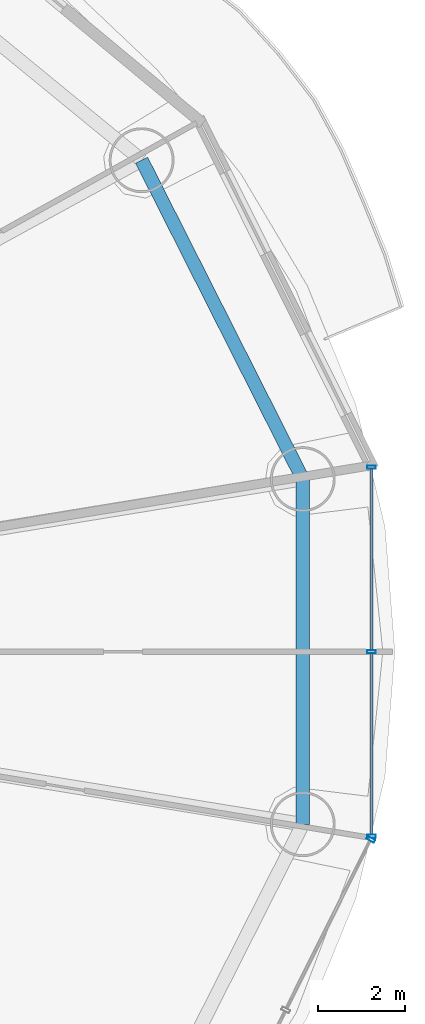
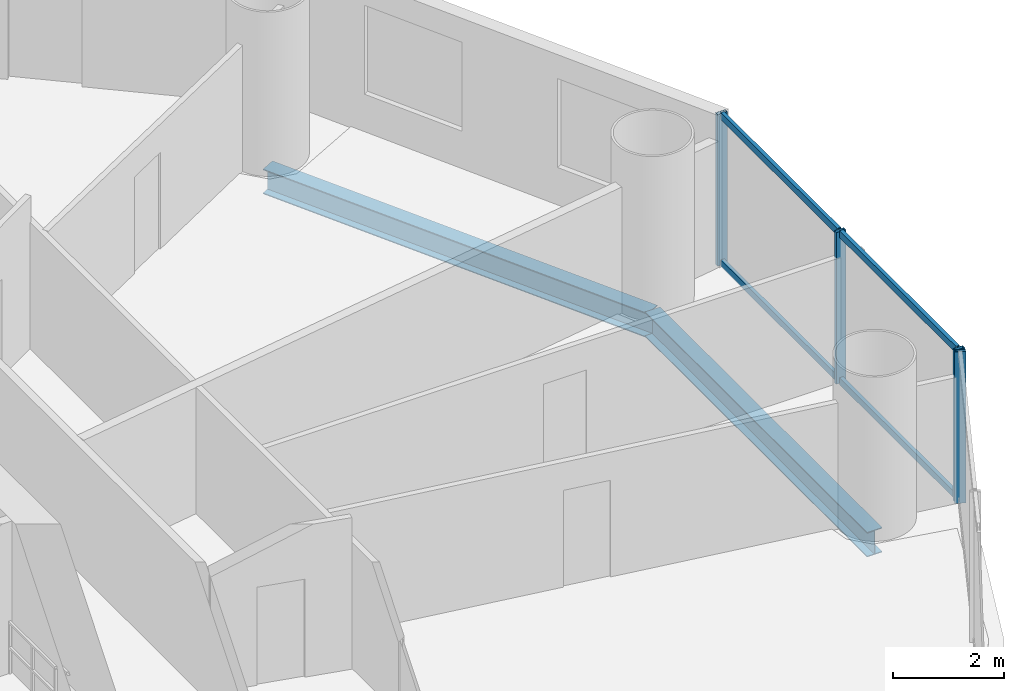
# One storey, part 15 of 29: 8 members, 2 beams, 2 elements without a shape of their own.
"""IFC4 building model written with IfcOpenShell, lengths in metres."""

from ifc_helpers import new_model, si_unit, direction, frame, origin, origin_2d, place, context, subcontext, project, spatial, hollow_rectangle, i_section, extrude, source, transform, mapped, material, material_profile, profile_set, type_object, element, aggregate, save


model = new_model("IFC4")

# Units and contexts
model_context = context("Model", 3, precision=1e-05, world=origin(), true_north=direction((-0.2419218956, 0.970295726276)))
body_context = subcontext(model_context, "Body", "Model", "MODEL_VIEW")
ifc_project = project(units=[si_unit("LENGTHUNIT", "METRE"), si_unit("AREAUNIT", "SQUARE_METRE"), si_unit("VOLUMEUNIT", "CUBIC_METRE"), si_unit("PLANEANGLEUNIT", "RADIAN"), si_unit("MASSUNIT", "GRAM", prefix="KILO")], contexts=[model_context])

# Site, building, storey
site_placement = place(None, origin())
site = spatial("IfcSite", under=ifc_project, at=site_placement, CompositionType="ELEMENT")
building_placement = place(site_placement, origin())
building = spatial("IfcBuilding", under=site, at=building_placement, Name="Cobrevalo Terracotta Tower", CompositionType="ELEMENT")
storey_placement = place(building_placement, frame((0.0, 0.0, 79.800048828125)))
storey = spatial("IfcBuildingStorey", under=building, at=storey_placement, Name="L20", CompositionType="ELEMENT", Elevation=79.800048828125)

# Beams
ifc_material_1 = material(Name="Steel S355", Category="steel")
ifc_material_profile_1 = material_profile(ifc_material_1, i_section(OverallWidth=0.31201171875, OverallDepth=0.54296875, WebThickness=0.0126953125, FlangeThickness=0.020263671875, at=origin_2d()), Name="W 530x150")
ifc_profile_set_1 = profile_set([ifc_material_profile_1], Name="Steel S355")
beam_type = type_object("IfcBeamType", Name="Structural Spandrel W 530x150 (Steel S355)", PredefinedType="SPANDREL", material=ifc_profile_set_1)
beam_1_placement = place(storey_placement, frame((62.470703125, 30.78955078125, -0.546630859375), z_axis=(-0.451051982172, 0.892497680321, 0.0), x_axis=(-0.892497680321, -0.451051982172, 0.0)))
element("IfcBeam", 1, at=beam_1_placement, inside=storey, type_object=beam_type, Name="L20 perimeter ring spandrel 01", PredefinedType="SPANDREL", context=body_context, shape_type="SweptSolid", body=[
    extrude(i_section(OverallWidth=0.31201171875, OverallDepth=0.54296875, WebThickness=0.0126953125, FlangeThickness=0.020263671875, at=origin_2d()), origin(), (0.0, 0.0, 1.0), 8.259765625),
])
beam_2_placement = place(storey_placement, frame((62.470703125, 22.810302734375, -0.546630859375), z_axis=(0.0, 1.0, 0.0), x_axis=(-1.0, 0.0, 0.0)))
element("IfcBeam", 2, at=beam_2_placement, inside=storey, type_object=beam_type, Name="L20 perimeter ring spandrel 16", PredefinedType="SPANDREL", context=body_context, shape_type="SweptSolid", body=[
    extrude(i_section(OverallWidth=0.31201171875, OverallDepth=0.54296875, WebThickness=0.0126953125, FlangeThickness=0.020263671875, at=origin_2d()), origin(), (0.0, 0.0, 1.0), 7.979248046875),
])

# Curtain wall, members
ifc_material_2 = material(Name="Anodized aluminium", Category="aluminium")
curtain_wall_type = type_object("IfcCurtainWallType", Name="Lower-tower unitised acoustic low-E curtain wall CW-U1", PredefinedType="NOTDEFINED", material=ifc_material_2)
curtain_wall_1_placement = place(storey_placement, origin())
curtain_wall_1 = element("IfcCurtainWall", 3, at=curtain_wall_1_placement, inside=storey, type_object=curtain_wall_type, Name="L20 curtain wall CW-L20-S16", PredefinedType="NOTDEFINED")
ifc_material_profile_2 = material_profile(ifc_material_2, hollow_rectangle(XDim=0.074951171875, YDim=0.14990234375, WallThickness=0.00439453125, at=origin_2d()), Name="CWT 75x150")
ifc_profile_set_2 = profile_set([ifc_material_profile_2], Name="Anodized aluminium")
member_type_1 = type_object("IfcMemberType", Name="Tower unitised aluminium transom 75x150", PredefinedType="USERDEFINED", material=ifc_profile_set_2)
shared_shape_1 = source(origin(), body_context, "Body", "SweptSolid", [
    extrude(hollow_rectangle(XDim=0.074951171875, YDim=0.14990234375, WallThickness=0.00439453125, at=origin_2d()), origin(), (0.0, 0.0, 1.0), 4.185546875),
])
member_1_placement = place(storey_placement, frame((64.0595703125, 22.574462890625, 0.050048828125), z_axis=(0.0, 1.0, 0.0), x_axis=(-1.0, 0.0, 0.0)))
member_1 = element("IfcMember", 4, at=member_1_placement, type_object=member_type_1, Name="CW-L20-S16 transom B01-T1", ObjectType="TRANSOM", PredefinedType="USERDEFINED", context=body_context, shape_type="MappedRepresentation", body=[
    mapped(shared_shape_1, transform((0.0, 0.0, 0.0), scale=1.0)),
])
member_2_placement = place(storey_placement, frame((64.0595703125, 22.574462890625, 3.27490234375), z_axis=(0.0, 1.0, 0.0), x_axis=(-1.0, 0.0, 0.0)))
member_2 = element("IfcMember", 5, at=member_2_placement, type_object=member_type_1, Name="CW-L20-S16 transom B01-T2", ObjectType="TRANSOM", PredefinedType="USERDEFINED", context=body_context, shape_type="MappedRepresentation", body=[
    mapped(shared_shape_1, transform((0.0, 0.0, 0.0), scale=1.0)),
])
member_3_placement = place(storey_placement, frame((64.0595703125, 26.840087890625, 0.050048828125), z_axis=(0.0, 1.0, 0.0), x_axis=(-1.0, 0.0, 0.0)))
member_3 = element("IfcMember", 6, at=member_3_placement, type_object=member_type_1, Name="CW-L20-S16 transom B02-T1", ObjectType="TRANSOM", PredefinedType="USERDEFINED", context=body_context, shape_type="MappedRepresentation", body=[
    mapped(shared_shape_1, transform((0.0, 0.0, 0.0), scale=1.0)),
])
member_4_placement = place(storey_placement, frame((64.0595703125, 26.840087890625, 3.27490234375), z_axis=(0.0, 1.0, 0.0), x_axis=(-1.0, 0.0, 0.0)))
member_4 = element("IfcMember", 7, at=member_4_placement, type_object=member_type_1, Name="CW-L20-S16 transom B02-T2", ObjectType="TRANSOM", PredefinedType="USERDEFINED", context=body_context, shape_type="MappedRepresentation", body=[
    mapped(shared_shape_1, transform((0.0, 0.0, 0.0), scale=1.0)),
])

# Curtain wall, member
curtain_wall_2_placement = place(storey_placement, origin())
curtain_wall_2 = element("IfcCurtainWall", 8, at=curtain_wall_2_placement, inside=storey, type_object=curtain_wall_type, Name="L20 curtain wall CW-L20-S15", PredefinedType="NOTDEFINED")
ifc_material_profile_3 = material_profile(ifc_material_2, hollow_rectangle(XDim=0.074951171875, YDim=0.199951171875, WallThickness=0.0048828125, at=origin_2d()), Name="CWM 75x200")
ifc_profile_set_3 = profile_set([ifc_material_profile_3], Name="Anodized aluminium")
member_type_2 = type_object("IfcMemberType", Name="Lower/mid tower unitised mullion 75x200", PredefinedType="MULLION", material=ifc_profile_set_3)
shared_shape_2 = source(origin(), body_context, "Body", "SweptSolid", [
    extrude(hollow_rectangle(XDim=0.074951171875, YDim=0.199951171875, WallThickness=0.0048828125, at=origin_2d()), origin(), (0.0, 0.0, 1.0), 3.324951171875),
])
member_5_placement = place(storey_placement, frame((64.04150390625, 22.45849609375, 0.0), z_axis=(0.0, 0.0, 1.0), x_axis=(0.446260290227, 0.894903208937, 0.0)))
member_5 = element("IfcMember", 9, at=member_5_placement, type_object=member_type_2, Name="CW-L20-S15 vertical mullion 03", PredefinedType="MULLION", context=body_context, shape_type="MappedRepresentation", body=[
    mapped(shared_shape_2, transform((0.0, 0.0, 0.0), scale=1.0)),
])
aggregate(curtain_wall_2, [member_5])

# Member
member_6_placement = place(storey_placement, frame((64.0595703125, 22.534423828125, 0.0), z_axis=(0.0, 0.0, 1.0), x_axis=(0.0, 1.0, 0.0)))
member_6 = element("IfcMember", 10, at=member_6_placement, type_object=member_type_2, Name="CW-L20-S16 vertical mullion 01", PredefinedType="MULLION", context=body_context, shape_type="MappedRepresentation", body=[
    mapped(shared_shape_2, transform((0.0, 0.0, 0.0), scale=1.0)),
])

member_7_placement = place(storey_placement, frame((64.0595703125, 26.800048828125, 0.0), z_axis=(0.0, 0.0, 1.0), x_axis=(0.0, 1.0, 0.0)))
member_7 = element("IfcMember", 11, at=member_7_placement, type_object=member_type_2, Name="CW-L20-S16 vertical mullion 02", PredefinedType="MULLION", context=body_context, shape_type="MappedRepresentation", body=[
    mapped(shared_shape_2, transform((0.0, 0.0, 0.0), scale=1.0)),
])

member_8_placement = place(storey_placement, frame((64.0595703125, 31.065673828125, 0.0), z_axis=(0.0, 0.0, 1.0), x_axis=(0.0, 1.0, 0.0)))
member_8 = element("IfcMember", 12, at=member_8_placement, type_object=member_type_2, Name="CW-L20-S16 vertical mullion 03", PredefinedType="MULLION", context=body_context, shape_type="MappedRepresentation", body=[
    mapped(shared_shape_2, transform((0.0, 0.0, 0.0), scale=1.0)),
])

aggregate(curtain_wall_1, [member_6, member_7, member_8, member_1, member_2, member_3, member_4])

save(model, "model.ifc")
